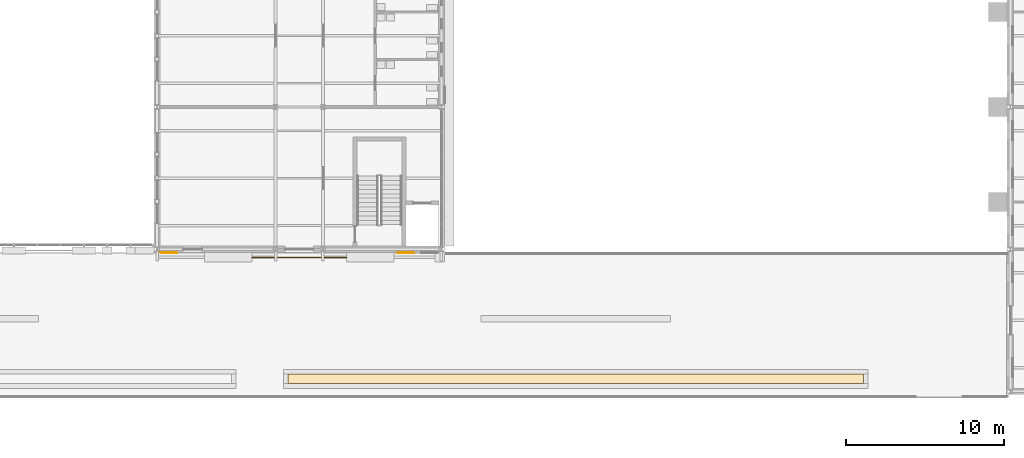
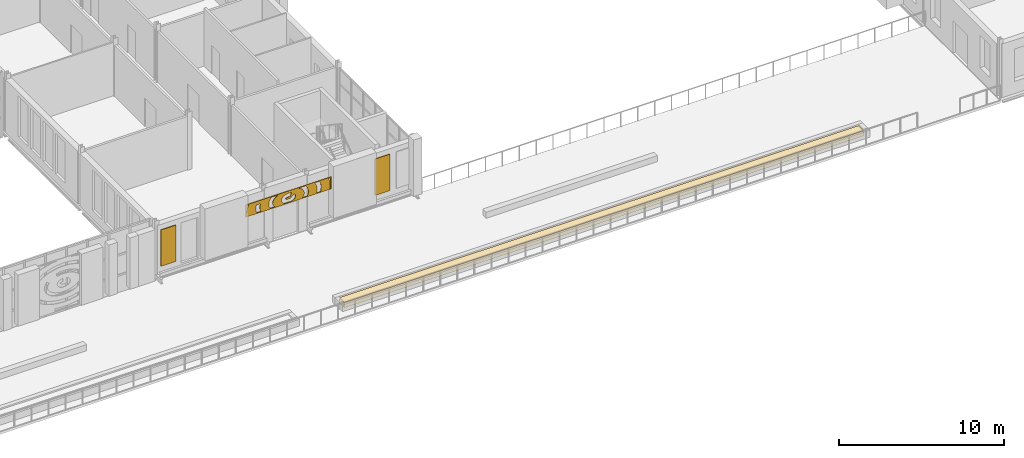
# One storey, part 116 of 134: 4 coverings.
"""IFC4 building model written with IfcOpenShell, lengths in metres."""

from ifc_helpers import new_model, si_unit, direction, frame, origin, place, context, subcontext, project, spatial, polyline, outline, extrude, material, layer, layer_set, type_object, element, save


model = new_model("IFC4")

# Units and contexts
model_context = context("Model", 3, precision=1e-05, world=origin(), true_north=direction((0.0, 1.0)))
body_context = subcontext(model_context, "Body", "Model", "MODEL_VIEW")
ifc_project = project(units=[si_unit("LENGTHUNIT", "METRE"), si_unit("AREAUNIT", "SQUARE_METRE"), si_unit("VOLUMEUNIT", "CUBIC_METRE"), si_unit("PLANEANGLEUNIT", "RADIAN"), si_unit("MASSUNIT", "GRAM", prefix="KILO")], contexts=[model_context])

# Site, building, storey
site_placement = place(None, origin())
site = spatial("IfcSite", under=ifc_project, at=site_placement, CompositionType="ELEMENT")
building_placement = place(site_placement, origin())
building = spatial("IfcBuilding", under=site, at=building_placement, Name="Golden Quay Civic Hall", CompositionType="ELEMENT")
storey_placement = place(building_placement, frame((0.0, 0.0, 5.39990234375)))
storey = spatial("IfcBuildingStorey", under=building, at=storey_placement, Name="L01", CompositionType="ELEMENT", Elevation=5.39990234375)

# Coverings
ifc_material_1 = material(Name="Aluminium, golden anodised, perforated", Category="aluminium")
ifc_layer_1 = layer(ifc_material_1, 0.0400390625)
ifc_layer_set_1 = layer_set([ifc_layer_1], Name="Perforated screen panel 6000 x 900 x 40")
covering_type_1 = type_object("IfcCoveringType", Name="Perforated screen panel 6000 x 900 x 40", PredefinedType="CLADDING", material=ifc_layer_set_1)
covering_1_placement = place(storey_placement, frame((108.0, -0.5, 3.150146484375), z_axis=(0.0, -1.0, 0.0), x_axis=(1.0, 0.0, 0.0)))
element("IfcCovering", 1, at=covering_1_placement, inside=storey, type_object=covering_type_1, Name="Perforated screen panel 6000 x 900 x 40 L01 2", PredefinedType="CLADDING", context=body_context, shape_type="SweptSolid", body=[
    extrude(outline(polyline([(-3.0, -0.449951171875), (3.0, -0.449951171875), (3.0, 0.449951171875), (-3.0, 0.449951171875), (-3.0, -0.449951171875)]), holes=[polyline([(-0.20947265625, -0.081298828125), (-0.189697265625, -0.103759765625), (-0.1650390625, -0.1201171875), (-0.131103515625, -0.135498046875), (-0.089599609375, -0.147705078125), (-0.043212890625, -0.1552734375), (0.006103515625, -0.157470703125), (0.0546875, -0.154052734375), (0.100341796875, -0.14501953125), (0.14013671875, -0.1318359375), (0.184326171875, -0.10791015625), (0.201171875, -0.093017578125), (0.2099609375, -0.080322265625), (0.201904296875, -0.06591796875), (0.437744140625, 0.08251953125), (0.458251953125, 0.047607421875), (0.47412109375, 0.010009765625), (0.484619140625, -0.02978515625), (0.489013671875, -0.071044921875), (0.4873046875, -0.1123046875), (0.473388671875, -0.172119140625), (0.457275390625, -0.209716796875), (0.4267578125, -0.2578125), (0.401611328125, -0.287109375), (0.353759765625, -0.329345703125), (0.311279296875, -0.357666015625), (0.24560546875, -0.389892578125), (-0.2451171875, -0.389892578125), (-0.294921875, -0.36669921875), (-0.338134765625, -0.340576171875), (-0.388427734375, -0.300048828125), (-0.425048828125, -0.260009765625), (-0.458251953125, -0.207763671875), (-0.479736328125, -0.15185546875), (-0.489013671875, -0.091064453125), (-0.487548828125, -0.0498046875), (-0.47412109375, 0.010009765625), (-0.4482421875, 0.06591796875), (-0.41552734375, 0.111572265625), (-0.370361328125, 0.15625), (-0.3291015625, 0.186767578125), (-0.2705078125, 0.21923828125), (-0.224609375, 0.238037109375), (-0.1484375, 0.26025390625), (-0.076904296875, 0.272216796875), (0.0048828125, 0.2763671875), (0.094482421875, 0.27001953125), (0.165283203125, 0.25634765625), (0.20361328125, 0.245361328125), (0.125, -0.022216796875), (0.077392578125, -0.009765625), (0.02978515625, -0.00341796875), (-0.019287109375, -0.0029296875), (-0.0673828125, -0.0078125), (-0.11181640625, -0.01806640625), (-0.16552734375, -0.0400390625), (-0.1982421875, -0.063720703125), (-0.20947265625, -0.081298828125)]), polyline([(-0.73779296875, 0.389892578125), (-0.833740234375, 0.33447265625), (-0.8876953125, 0.2958984375), (-0.936279296875, 0.255859375), (-0.978515625, 0.21435546875), (-1.014892578125, 0.172119140625), (-1.045166015625, 0.129150390625), (-1.069580078125, 0.086181640625), (-1.087890625, 0.043701171875), (-1.1005859375, 0.001220703125), (-1.108154296875, -0.040771484375), (-1.1103515625, -0.08251953125), (-1.107421875, -0.12451171875), (-1.099365234375, -0.16650390625), (-1.0859375, -0.208984375), (-1.06689453125, -0.251708984375), (-1.041748046875, -0.29443359375), (-1.0107421875, -0.33740234375), (-0.962890625, -0.389892578125), (-1.308837890625, -0.389892578125), (-1.343505859375, -0.3154296875), (-1.36767578125, -0.2431640625), (-1.385009765625, -0.152099609375), (-1.38916015625, -0.076171875), (-1.384033203125, -0.00048828125), (-1.369873046875, 0.073974609375), (-1.3525390625, 0.1318359375), (-1.322509765625, 0.20361328125), (-1.277099609375, 0.2841796875), (-1.239013671875, 0.338134765625), (-1.1953125, 0.389892578125), (-0.73779296875, 0.389892578125)]), polyline([(0.9638671875, -0.3896484375), (1.00244140625, -0.34765625), (1.034912109375, -0.304931640625), (1.061279296875, -0.261962890625), (1.081787109375, -0.21923828125), (1.0966796875, -0.1767578125), (1.10595703125, -0.134521484375), (1.110107421875, -0.0927734375), (1.109130859375, -0.05078125), (1.102783203125, -0.009033203125), (1.091552734375, 0.033203125), (1.074462890625, 0.075927734375), (1.051513671875, 0.118896484375), (1.02294921875, 0.16162109375), (0.988037109375, 0.2041015625), (0.947021484375, 0.245849609375), (0.900146484375, 0.286376953125), (0.847412109375, 0.325439453125), (0.7890625, 0.3623046875), (0.73828125, 0.389892578125), (1.19580078125, 0.389892578125), (1.25048828125, 0.322509765625), (1.29443359375, 0.256103515625), (1.32421875, 0.2001953125), (1.353515625, 0.129150390625), (1.374267578125, 0.055908203125), (1.38623046875, -0.018798828125), (1.388916015625, -0.094482421875), (1.382568359375, -0.17041015625), (1.362548828125, -0.2607421875), (1.33642578125, -0.332763671875), (1.30908203125, -0.389892578125), (0.9638671875, -0.3896484375)]), polyline([(-2.00439453125, 0.010498046875), (-2.010009765625, -0.060302734375), (-2.008544921875, -0.131103515625), (-1.99951171875, -0.201904296875), (-1.9833984375, -0.2724609375), (-1.959716796875, -0.343017578125), (-1.938720703125, -0.389892578125), (-2.23779296875, -0.389892578125), (-2.25341796875, -0.341796875), (-2.275390625, -0.24365234375), (-2.285888671875, -0.15869140625), (-2.2890625, -0.059326171875), (-2.27978515625, 0.053955078125), (-2.26123046875, 0.152099609375), (-2.23681640625, 0.23583984375), (-1.968994140625, 0.158447265625), (-1.991455078125, 0.081298828125), (-2.00439453125, 0.010498046875)]), polyline([(1.96630859375, -0.325439453125), (1.988037109375, -0.2548828125), (2.00244140625, -0.18408203125), (2.009521484375, -0.11328125), (2.009521484375, -0.04248046875), (2.001953125, 0.028076171875), (1.987060546875, 0.098876953125), (1.964599609375, 0.16943359375), (1.934814453125, 0.23974609375), (1.8974609375, 0.309814453125), (1.843505859375, 0.389892578125), (2.170654296875, 0.389892578125), (2.189208984375, 0.3544921875), (2.228515625, 0.259765625), (2.258544921875, 0.162841796875), (2.2783203125, 0.064697265625), (2.2880859375, -0.03466796875), (2.28759765625, -0.134033203125), (2.277099609375, -0.23291015625), (2.25634765625, -0.330810546875), (2.238037109375, -0.389892578125), (1.939208984375, -0.389892578125), (1.96630859375, -0.325439453125)]), polyline([(2.872802734375, -0.35791015625), (2.8935546875, -0.266357421875), (2.906005859375, -0.174560546875), (2.910400390625, -0.0830078125), (2.906494140625, 0.0087890625), (2.89453125, 0.1005859375), (2.87451171875, 0.192138671875), (2.845947265625, 0.283203125), (2.80126953125, 0.389892578125), (2.93994140625, 0.389892578125), (2.93994140625, -0.389892578125), (2.86279296875, -0.389892578125), (2.872802734375, -0.35791015625)]), polyline([(-2.801513671875, 0.389892578125), (-2.843505859375, 0.29052734375), (-2.87255859375, 0.199462890625), (-2.893310546875, 0.10791015625), (-2.906005859375, 0.016357421875), (-2.910400390625, -0.075439453125), (-2.906494140625, -0.17333984375), (-2.93994140625, -0.1748046875), (-2.93994140625, 0.389892578125), (-2.801513671875, 0.389892578125)])]), origin(), (0.0, 0.0, 1.0), 0.0400390625),
])
ifc_material_2 = material(Name="Planting soil")
ifc_layer_2 = layer(ifc_material_2, 0.39990234375)
ifc_layer_set_2 = layer_set([ifc_layer_2], Name="Planting soil 400")
covering_type_2 = type_object("IfcCoveringType", Name="Planting soil 400", PredefinedType="FLOORING", material=ifc_layer_set_2)
covering_2_placement = place(storey_placement, origin())
element("IfcCovering", 2, at=covering_2_placement, inside=storey, type_object=covering_type_2, Name="Terrace planting 3", PredefinedType="FLOORING", context=body_context, shape_type="SweptSolid", body=[
    extrude(outline(polyline([(107.300048828125, -8.5), (143.699951171875, -8.5), (143.699951171875, -7.89990234375), (107.300048828125, -7.89990234375), (107.300048828125, -8.5)])), origin(), (0.0, 0.0, 1.0), 0.400146484375),
])
ifc_material_3 = material(Name="Terracotta cladding, golden glaze", Category="masonry")
ifc_layer_3 = layer(ifc_material_3, 0.050048828125)
ifc_layer_set_3 = layer_set([ifc_layer_3], Name="Terracotta solid panel 1050 x 2700 x 50")
covering_type_3 = type_object("IfcCoveringType", Name="Terracotta solid panel 1050 x 2700 x 50", PredefinedType="CLADDING", material=ifc_layer_set_3)
covering_3_placement = place(storey_placement, frame((0.0, 0.0, 0.900146484375)))
element("IfcCovering", 3, at=covering_3_placement, inside=storey, type_object=covering_type_3, Name="Terracotta solid panel 1050 x 2700 x 50 L01 34", PredefinedType="CLADDING", context=body_context, shape_type="SweptSolid", body=[
    extrude(outline(polyline([(99.22509765625, -0.199951171875), (100.27490234375, -0.199951171875), (100.27490234375, -0.25), (99.22509765625, -0.25), (99.22509765625, -0.199951171875)])), origin(), (0.0, 0.0, 1.0), 2.699951171875),
])
covering_4_placement = place(storey_placement, frame((0.0, 0.0, 0.900146484375)))
element("IfcCovering", 4, at=covering_4_placement, inside=storey, type_object=covering_type_3, Name="Terracotta solid panel 1050 x 2700 x 50 L01 35", PredefinedType="CLADDING", context=body_context, shape_type="SweptSolid", body=[
    extrude(outline(polyline([(114.22509765625, -0.199951171875), (115.27490234375, -0.199951171875), (115.27490234375, -0.25), (114.22509765625, -0.25), (114.22509765625, -0.199951171875)])), origin(), (0.0, 0.0, 1.0), 2.699951171875),
])

save(model, "model.ifc")
